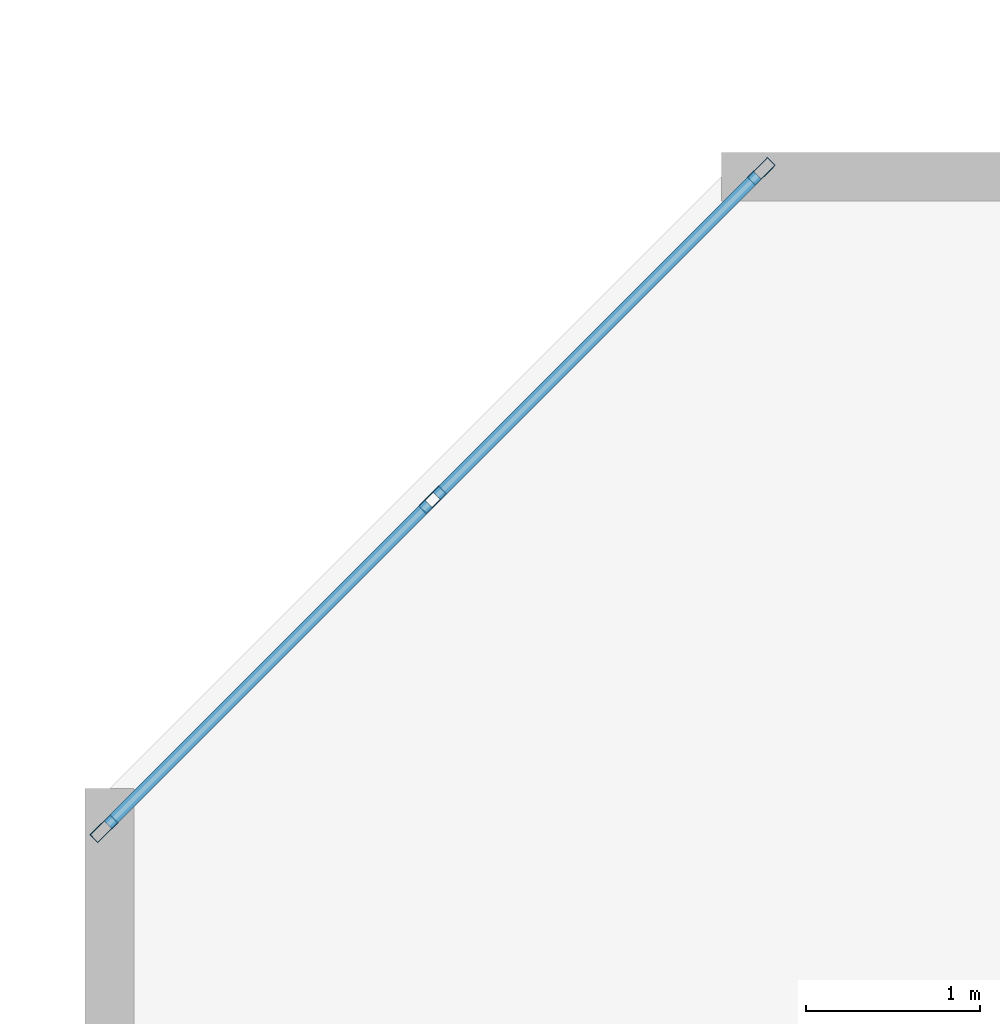
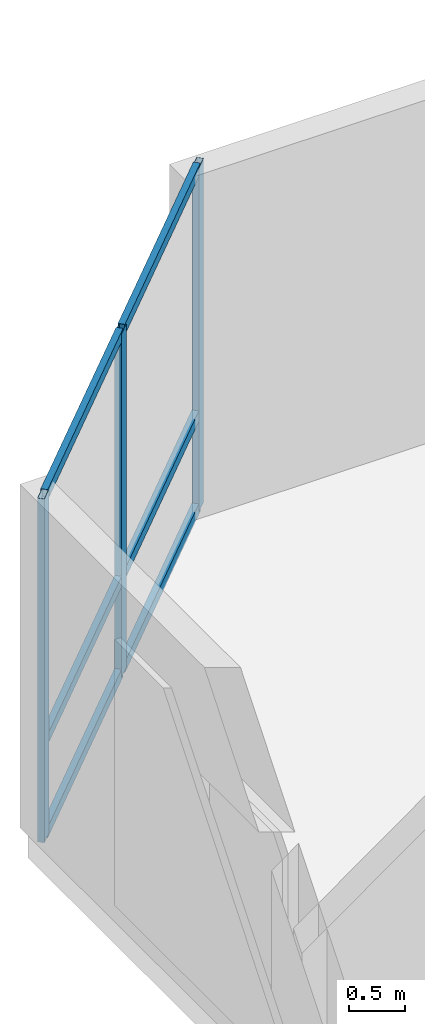
# One storey, part 2 of 10: 9 members, 1 element without a shape of its own.
"""IFC4 building model written with IfcOpenShell, lengths in metres."""

from ifc_helpers import new_model, si_unit, direction, frame, origin, origin_2d, place, context, subcontext, project, spatial, hollow_rectangle, extrude, material, layer, layer_set, material_profile, profile_set, type_object, element, aggregate, save


model = new_model("IFC4")

# Units and contexts
model_context = context("Model", 3, precision=1e-05, world=origin(), true_north=direction((0.0, 1.0)))
body_context = subcontext(model_context, "Body", "Model", "MODEL_VIEW")
ifc_project = project(units=[si_unit("LENGTHUNIT", "METRE"), si_unit("AREAUNIT", "SQUARE_METRE"), si_unit("VOLUMEUNIT", "CUBIC_METRE"), si_unit("PLANEANGLEUNIT", "RADIAN"), si_unit("MASSUNIT", "GRAM", prefix="KILO")], contexts=[model_context])

# Site, building, storey
site_placement = place(None, origin())
site = spatial("IfcSite", under=ifc_project, at=site_placement, CompositionType="ELEMENT")
building_placement = place(site_placement, origin())
building = spatial("IfcBuilding", under=site, at=building_placement, Name="Kestravale Grand Hotel", CompositionType="ELEMENT")
storey_placement = place(building_placement, frame((0.0, 0.0, 261.39990234375)))
storey = spatial("IfcBuildingStorey", under=building, at=storey_placement, Name="L65", CompositionType="ELEMENT", Elevation=261.39990234375)

# Curtain wall, members
ifc_material_1 = material(Name="Thermally broken champagne-bronze aluminium and low-E glazing", Category="aluminium")
ifc_layer = layer(ifc_material_1, 0.179931640625)
ifc_layer_set = layer_set([ifc_layer], Name="CW-Z4")
curtain_wall_type = type_object("IfcCurtainWallType", Name="CW-Z4", PredefinedType="NOTDEFINED", material=ifc_layer_set)
curtain_wall_placement = place(storey_placement, origin())
curtain_wall = element("IfcCurtainWall", 1, at=curtain_wall_placement, inside=storey, type_object=curtain_wall_type, Name="L65 unitised curtain wall 18", PredefinedType="NOTDEFINED")
ifc_material_2 = material(Name="Aluminium 6063-T6 anodised", Category="aluminium")
ifc_material_profile_1 = material_profile(ifc_material_2, hollow_rectangle(XDim=0.06494140625, YDim=0.1650390625, WallThickness=0.00341796875, at=origin_2d()))
ifc_profile_set_1 = profile_set([ifc_material_profile_1], Name="Aluminium 6063-T6 anodised")
member_type_1 = type_object("IfcMemberType", Name="CW-MUL-165", PredefinedType="MULLION", material=ifc_profile_set_1)
member_1_placement = place(storey_placement, frame((11.690185546875, 44.59228515625, 0.0), z_axis=(0.0, 0.0, 1.0), x_axis=(0.707106781187, -0.707106781187, 0.0)))
member_1 = element("IfcMember", 2, at=member_1_placement, type_object=member_type_1, Name="CW-Z4 mullion 1", PredefinedType="MULLION", context=body_context, shape_type="SweptSolid", body=[
    extrude(hollow_rectangle(XDim=0.06494140625, YDim=0.1650390625, WallThickness=0.00341796875, at=origin_2d()), origin(), (0.0, 0.0, 1.0), 3.760009765625),
])
member_2_placement = place(storey_placement, frame((9.799072265625, 42.700927734375, 0.0), z_axis=(0.0, 0.0, 1.0), x_axis=(0.707106781187, -0.707106781187, 0.0)))
member_2 = element("IfcMember", 3, at=member_2_placement, type_object=member_type_1, Name="CW-Z4 mullion 2", PredefinedType="MULLION", context=body_context, shape_type="SweptSolid", body=[
    extrude(hollow_rectangle(XDim=0.06494140625, YDim=0.1650390625, WallThickness=0.00341796875, at=origin_2d()), origin(), (0.0, 0.0, 1.0), 3.760009765625),
])
member_3_placement = place(storey_placement, frame((7.90771484375, 40.809814453125, 0.0), z_axis=(0.0, 0.0, 1.0), x_axis=(0.707106781187, -0.707106781187, 0.0)))
member_3 = element("IfcMember", 4, at=member_3_placement, type_object=member_type_1, Name="CW-Z4 mullion 3", PredefinedType="MULLION", context=body_context, shape_type="SweptSolid", body=[
    extrude(hollow_rectangle(XDim=0.06494140625, YDim=0.1650390625, WallThickness=0.00341796875, at=origin_2d()), origin(), (0.0, 0.0, 1.0), 3.760009765625),
])
ifc_material_3 = material(Name="Aluminium 6063-T6 anodised", Category="aluminium")
ifc_material_profile_2 = material_profile(ifc_material_3, hollow_rectangle(XDim=0.06494140625, YDim=0.114990234375, WallThickness=0.003173828125, at=origin_2d()))
ifc_profile_set_2 = profile_set([ifc_material_profile_2], Name="Aluminium 6063-T6 anodised")
member_type_2 = type_object("IfcMemberType", Name="CW-TRN-115", PredefinedType="USERDEFINED", material=ifc_profile_set_2)
member_4_placement = place(storey_placement, frame((11.667236328125, 44.5693359375, 0.03271484375), z_axis=(-0.707060004037, -0.707153555242, 0.0), x_axis=(0.707153555242, -0.707060004037, 0.0)))
member_4 = element("IfcMember", 5, at=member_4_placement, type_object=member_type_2, Name="CW-Z4 transom 1.1", ObjectType="TRANSOM", PredefinedType="USERDEFINED", context=body_context, shape_type="SweptSolid", body=[
    extrude(hollow_rectangle(XDim=0.06494140625, YDim=0.114990234375, WallThickness=0.003173828125, at=origin_2d()), origin(), (0.0, 0.0, 1.0), 2.609619140625),
])
member_5_placement = place(storey_placement, frame((11.667236328125, 44.5693359375, 1.050048828125), z_axis=(-0.707060004037, -0.707153555242, 0.0), x_axis=(0.707153555242, -0.707060004037, 0.0)))
member_5 = element("IfcMember", 6, at=member_5_placement, type_object=member_type_2, Name="CW-Z4 transom 1.2", ObjectType="TRANSOM", PredefinedType="USERDEFINED", context=body_context, shape_type="SweptSolid", body=[
    extrude(hollow_rectangle(XDim=0.06494140625, YDim=0.114990234375, WallThickness=0.003173828125, at=origin_2d()), origin(), (0.0, 0.0, 1.0), 2.609619140625),
])
member_6_placement = place(storey_placement, frame((11.667236328125, 44.5693359375, 3.7275390625), z_axis=(-0.707060004037, -0.707153555242, 0.0), x_axis=(0.707153555242, -0.707060004037, 0.0)))
member_6 = element("IfcMember", 7, at=member_6_placement, type_object=member_type_2, Name="CW-Z4 transom 1.3", ObjectType="TRANSOM", PredefinedType="USERDEFINED", context=body_context, shape_type="SweptSolid", body=[
    extrude(hollow_rectangle(XDim=0.06494140625, YDim=0.114990234375, WallThickness=0.003173828125, at=origin_2d()), origin(), (0.0, 0.0, 1.0), 2.609619140625),
])
member_7_placement = place(storey_placement, frame((9.776123046875, 42.677978515625, 0.03271484375), z_axis=(-0.707153555242, -0.707060004037, 0.0), x_axis=(0.707060004037, -0.707153555242, 0.0)))
member_7 = element("IfcMember", 8, at=member_7_placement, type_object=member_type_2, Name="CW-Z4 transom 2.1", ObjectType="TRANSOM", PredefinedType="USERDEFINED", context=body_context, shape_type="SweptSolid", body=[
    extrude(hollow_rectangle(XDim=0.06494140625, YDim=0.114990234375, WallThickness=0.003173828125, at=origin_2d()), origin(), (0.0, 0.0, 1.0), 2.609619140625),
])
member_8_placement = place(storey_placement, frame((9.776123046875, 42.677978515625, 1.050048828125), z_axis=(-0.707153555242, -0.707060004037, 0.0), x_axis=(0.707060004037, -0.707153555242, 0.0)))
member_8 = element("IfcMember", 9, at=member_8_placement, type_object=member_type_2, Name="CW-Z4 transom 2.2", ObjectType="TRANSOM", PredefinedType="USERDEFINED", context=body_context, shape_type="SweptSolid", body=[
    extrude(hollow_rectangle(XDim=0.06494140625, YDim=0.114990234375, WallThickness=0.003173828125, at=origin_2d()), origin(), (0.0, 0.0, 1.0), 2.609619140625),
])
member_9_placement = place(storey_placement, frame((9.776123046875, 42.677978515625, 3.7275390625), z_axis=(-0.707153555242, -0.707060004037, 0.0), x_axis=(0.707060004037, -0.707153555242, 0.0)))
member_9 = element("IfcMember", 10, at=member_9_placement, type_object=member_type_2, Name="CW-Z4 transom 2.3", ObjectType="TRANSOM", PredefinedType="USERDEFINED", context=body_context, shape_type="SweptSolid", body=[
    extrude(hollow_rectangle(XDim=0.06494140625, YDim=0.114990234375, WallThickness=0.003173828125, at=origin_2d()), origin(), (0.0, 0.0, 1.0), 2.609619140625),
])
aggregate(curtain_wall, [member_1, member_2, member_3, member_4, member_5, member_6, member_7, member_8, member_9])

save(model, "model.ifc")
